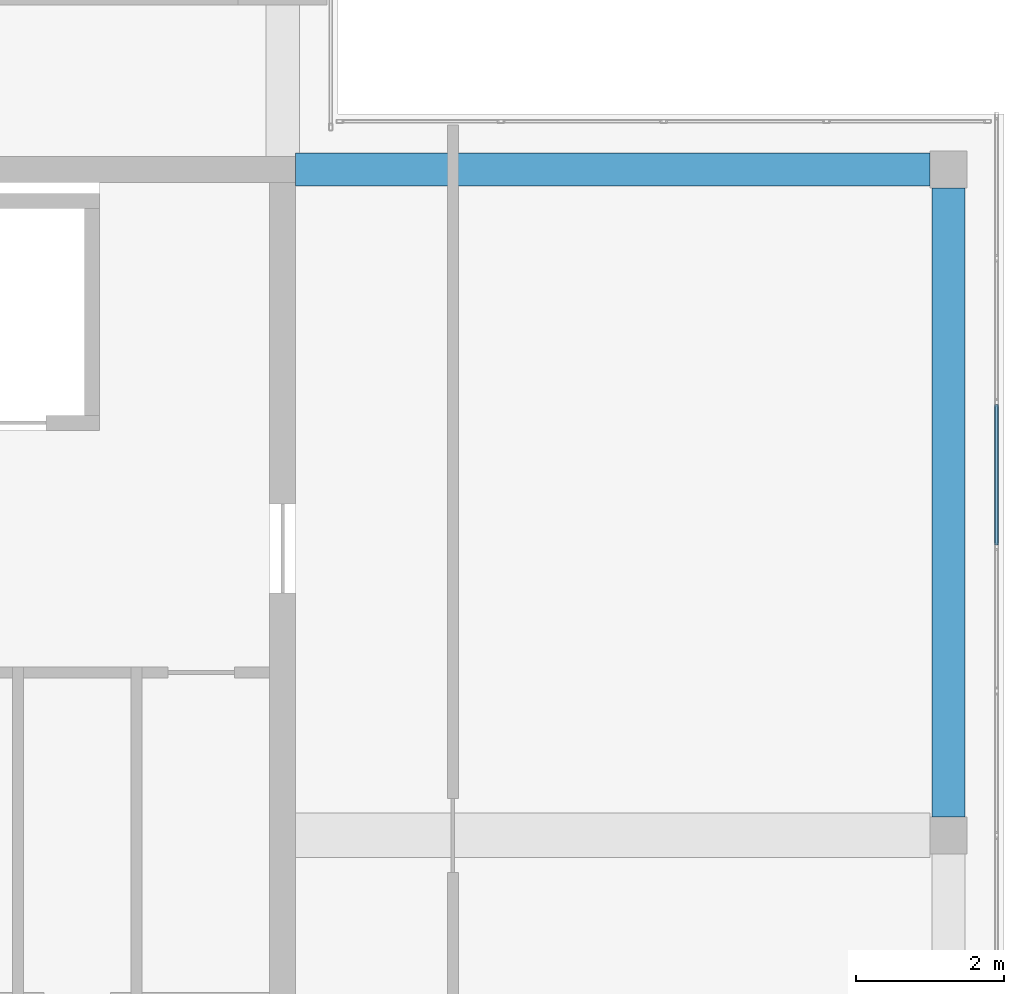
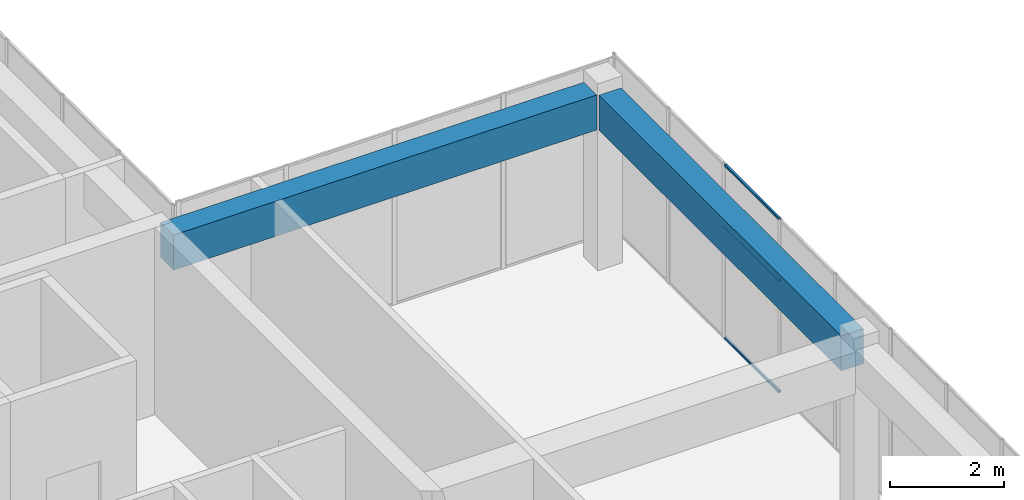
# One storey, part 18 of 34: 3 members, 2 beams, 1 element without a shape of its own.
"""IFC4 building model written with IfcOpenShell, lengths in metres."""

import ifcopenshell
import ifcopenshell.guid

model = None  # the IFC model being written
_history = None  # IfcOwnerHistory: only IFC2X3 demands one
_inside = {}  # id of a spatial element -> (the spatial element, [elements in it])
_under = {}  # id of a project, library or spatial element -> (it, [spatial elements below it])
_declared = {}  # id of a project -> (the project, [libraries it declares])
_typed = {}  # id of a type object -> (the type object, [elements of that type])
_made_of = {}  # id of a material, layer set ... -> (it, [elements and type objects made of it])


def new_model(schema):
    """Start an empty IFC model of exactly this schema.

    Asked for "IFC4X3", IfcOpenShell would pick the latest addendum, in which some entities
    have other attributes; the version numbers below select the first issue.
    IFC2X3 requires an IfcOwnerHistory on every rooted entity: one is made here for all.
    """
    global model, _history
    if schema == "IFC4X3":
        model = ifcopenshell.file(schema_version=(4, 3, 0, 0))
    else:
        model = ifcopenshell.file(schema=schema)
    _inside.clear()
    _under.clear()
    _declared.clear()
    _typed.clear()
    _made_of.clear()
    _history = None
    if model.schema == "IFC2X3":
        org = make("IfcOrganization", Name="unknown")
        user = make(
            "IfcPersonAndOrganization",
            ThePerson=make("IfcPerson", FamilyName="unknown"),
            TheOrganization=org,
        )
        app = make(
            "IfcApplication",
            ApplicationDeveloper=org,
            Version="unknown",
            ApplicationFullName="unknown",
            ApplicationIdentifier="unknown",
        )
        _history = make(
            "IfcOwnerHistory",
            OwningUser=user,
            OwningApplication=app,
            ChangeAction="ADDED",
            CreationDate=0,
        )
    return model


def make(cls, **values):
    """One entity of the class cls with the attributes given. An attribute that is None is left unset."""
    return model.create_entity(
        cls, **{name: value for name, value in values.items() if value is not None}
    )


def rooted(cls, **values):
    """An entity with a GlobalId (a new one), such as an element, a storey or a relation."""
    return make(cls, GlobalId=ifcopenshell.guid.new(), OwnerHistory=_history, **values)


def si_unit(unit_type, name, prefix=None):
    """IfcSIUnit, for example si_unit("LENGTHUNIT", "METRE", prefix="MILLI")."""
    return make("IfcSIUnit", UnitType=unit_type, Prefix=prefix, Name=name)


def assignment(units):
    """IfcUnitAssignment: the units of a project."""
    return None if units is None else make("IfcUnitAssignment", Units=units)


def point(xyz):
    """IfcCartesianPoint."""
    return None if xyz is None else make("IfcCartesianPoint", Coordinates=xyz)


def direction(xyz):
    """IfcDirection."""
    return None if xyz is None else make("IfcDirection", DirectionRatios=xyz)


def frame(location, z_axis=None, x_axis=None):
    """IfcAxis2Placement3D, a coordinate frame: its origin and axes. An axis left out is left unset."""
    return make(
        "IfcAxis2Placement3D",
        Location=point(location),
        Axis=direction(z_axis),
        RefDirection=direction(x_axis),
    )


def frame_2d(location, x_axis=None):
    """IfcAxis2Placement2D, a coordinate frame in the plane: its origin and x axis."""
    return make(
        "IfcAxis2Placement2D", Location=point(location), RefDirection=direction(x_axis)
    )


def origin():
    """The frame at (0, 0, 0) with its axes left unset."""
    return frame((0.0, 0.0, 0.0))


def origin_2d():
    """The frame at (0, 0) in the plane with its x axis left unset."""
    return frame_2d((0.0, 0.0))


def place(relative_to, where):
    """IfcLocalPlacement: puts the frame where relative to a parent placement (None: the world)."""
    return make(
        "IfcLocalPlacement", PlacementRelTo=relative_to, RelativePlacement=where
    )


def context(
    kind, dimensions, precision=None, world=None, true_north=None, identifier=None
):
    """IfcGeometricRepresentationContext, for example the 3D "Model" context."""
    return make(
        "IfcGeometricRepresentationContext",
        ContextIdentifier=identifier,
        ContextType=kind,
        CoordinateSpaceDimension=dimensions,
        Precision=precision,
        WorldCoordinateSystem=world,
        TrueNorth=true_north,
    )


def subcontext(parent, identifier, kind, view, scale=None):
    """IfcGeometricRepresentationSubContext, for example "Body" below "Model"."""
    return make(
        "IfcGeometricRepresentationSubContext",
        ContextIdentifier=identifier,
        ContextType=kind,
        ParentContext=parent,
        TargetScale=scale,
        TargetView=view,
    )


def project(units=None, contexts=None):
    """IfcProject with its units and contexts."""
    return rooted(
        "IfcProject",
        Name="project",
        RepresentationContexts=contexts,
        UnitsInContext=assignment(units),
    )


def spatial(cls, under=None, at=None, **own):
    """A site, building, storey or space (cls), placed at a placement, below another one or the project."""
    s = rooted(cls, ObjectPlacement=at, **own)
    if under is not None:
        _under.setdefault(under.id(), (under, []))[1].append(s)
    return s


def profile(cls, at=None, kind="AREA", **sizes):
    """A parametric profile (cls). Its sizes go by their IFC names, for example OverallWidth=200.0."""
    return make(cls, ProfileType=kind, Position=at, **sizes)


def rectangle(**sizes):
    """IfcRectangleProfileDef."""
    return profile("IfcRectangleProfileDef", **sizes)


def hollow_rectangle(**sizes):
    """IfcRectangleHollowProfileDef."""
    return profile("IfcRectangleHollowProfileDef", **sizes)


def extrude(swept, where, along, depth):
    """IfcExtrudedAreaSolid: the profile swept, set in the frame where, extruded along a direction by depth."""
    return make(
        "IfcExtrudedAreaSolid",
        SweptArea=swept,
        Position=where,
        ExtrudedDirection=direction(along),
        Depth=depth,
    )


def shape(context_of_items, identifier, shape_type, items):
    """IfcShapeRepresentation: the items that make up one representation, for example the "Body"."""
    return make(
        "IfcShapeRepresentation",
        ContextOfItems=context_of_items,
        RepresentationIdentifier=identifier,
        RepresentationType=shape_type,
        Items=items,
    )


def material(Name=None, Category=None):
    """IfcMaterial."""
    return make("IfcMaterial", Name=Name, Category=Category)


def layer(
    of_material, thickness, ventilated=None, Name=None, Category=None, Priority=None
):
    """IfcMaterialLayer: one layer of a wall or slab, of a material (None: an air gap)."""
    return make(
        "IfcMaterialLayer",
        Material=of_material,
        LayerThickness=thickness,
        IsVentilated=ventilated,
        Name=Name,
        Category=Category,
        Priority=Priority,
    )


def layer_set(layers, Name=None):
    """IfcMaterialLayerSet."""
    return make("IfcMaterialLayerSet", MaterialLayers=layers, LayerSetName=Name)


def material_profile(
    of_material, cross_section, Name=None, Category=None, Priority=None
):
    """IfcMaterialProfile: a cross section and its material."""
    return make(
        "IfcMaterialProfile",
        Name=Name,
        Material=of_material,
        Profile=cross_section,
        Priority=Priority,
        Category=Category,
    )


def profile_set(profiles, Name=None, composite=None):
    """IfcMaterialProfileSet."""
    return make(
        "IfcMaterialProfileSet",
        Name=Name,
        MaterialProfiles=profiles,
        CompositeProfile=composite,
    )


def made_of(thing, what):
    """Note that an element or type object is made of a material, layer set ...; save() writes the relation."""
    if what is not None:
        _made_of.setdefault(what.id(), (what, []))[1].append(thing)
    return thing


def type_object(cls, material=None, **own):
    """A type object (cls), such as IfcWallType, which elements share."""
    return made_of(rooted(cls, **own), material)


def element(
    cls,
    number,
    at=None,
    inside=None,
    cuts=None,
    type_object=None,
    material=None,
    context=None,
    identifier="Body",
    shape_type=None,
    held_by="IfcProductDefinitionShape",
    body=None,
    shapes=None,
    **own,
):
    """One element of the class cls, such as IfcWall. Its Tag is "e" and its number.

    at: its placement. inside: the storey or other place that contains it. cuts: it is an
    opening in that element (IfcRelVoidsElement). A single representation is given by context,
    identifier, shape_type and body (its items); several are given by shapes. held_by: the class
    of the entity that holds the representations. save() writes the other relations.
    """
    e = rooted(cls, Tag="e%d" % number, ObjectPlacement=at, **own)
    if body is not None:
        shapes = [shape(context, identifier, shape_type, body)]
    if shapes is not None:
        e.Representation = make(held_by, Representations=shapes)
    if inside is not None:
        _inside.setdefault(inside.id(), (inside, []))[1].append(e)
    if cuts is not None:
        rooted(
            "IfcRelVoidsElement", RelatingBuildingElement=cuts, RelatedOpeningElement=e
        )
    if type_object is not None:
        _typed.setdefault(type_object.id(), (type_object, []))[1].append(e)
    return made_of(e, material)


def aggregate(whole, parts):
    """IfcRelAggregates: a whole, such as a stair, and the parts it consists of."""
    return rooted("IfcRelAggregates", RelatingObject=whole, RelatedObjects=parts)


def save(model, path):
    """Write the relations noted so far, then the file.

    IfcRelAggregates (storeys below a building ...), IfcRelContainedInSpatialStructure (elements
    in a storey), IfcRelDefinesByType, IfcRelAssociatesMaterial and IfcRelDeclares: one each for
    every whole, place, type object, material and project.
    """
    for whole, parts in _under.values():
        aggregate(whole, parts)
    for where, things in _inside.values():
        rooted(
            "IfcRelContainedInSpatialStructure",
            RelatedElements=things,
            RelatingStructure=where,
        )
    for kind, things in _typed.values():
        rooted("IfcRelDefinesByType", RelatedObjects=things, RelatingType=kind)
    for what, things in _made_of.values():
        rooted("IfcRelAssociatesMaterial", RelatedObjects=things, RelatingMaterial=what)
    for by, libraries in _declared.values():
        rooted("IfcRelDeclares", RelatingContext=by, RelatedDefinitions=libraries)
    model.write(path)


model = new_model("IFC4")

# Units and contexts
model_context = context("Model", 3, precision=1e-05, world=origin(), true_north=direction((0.0, 1.0)))
body_context = subcontext(model_context, "Body", "Model", "MODEL_VIEW")
ifc_project = project(units=[si_unit("LENGTHUNIT", "METRE"), si_unit("AREAUNIT", "SQUARE_METRE"), si_unit("VOLUMEUNIT", "CUBIC_METRE"), si_unit("PLANEANGLEUNIT", "RADIAN"), si_unit("MASSUNIT", "GRAM", prefix="KILO")], contexts=[model_context])

# Site, building, storey
site_placement = place(None, origin())
site = spatial("IfcSite", under=ifc_project, at=site_placement, CompositionType="ELEMENT")
building_placement = place(site_placement, origin())
building = spatial("IfcBuilding", under=site, at=building_placement, Name="Tuart Plaza Theatre", CompositionType="ELEMENT")
storey_placement = place(building_placement, frame((0.0, 0.0, 57.5)))
storey = spatial("IfcBuildingStorey", under=building, at=storey_placement, Name="L14", CompositionType="ELEMENT", Elevation=57.5)

# Beams
ifc_material_1 = material(Name="Concrete N40 (40 MPa)", Category="concrete")
ifc_material_profile_1 = material_profile(ifc_material_1, rectangle(XDim=0.449951171875, YDim=0.75, at=origin_2d()), Name="BEAM 450x750 Concrete N40 (40 MPa)")
ifc_profile_set_1 = profile_set([ifc_material_profile_1], Name="Concrete N40 (40 MPa)")
beam_type = type_object("IfcBeamType", Name="BEAM 450x750 Concrete N40 (40 MPa)", PredefinedType="BEAM", material=ifc_profile_set_1)
beam_1_placement = place(storey_placement, frame((141.175048828125, 83.0, 3.375), z_axis=(1.0, 0.0, 0.0), x_axis=(0.0, 1.0, 0.0)))
element("IfcBeam", 1, at=beam_1_placement, inside=storey, type_object=beam_type, Name="RB344", PredefinedType="BEAM", context=body_context, shape_type="SweptSolid", body=[
    extrude(rectangle(XDim=0.449951171875, YDim=0.75, at=origin_2d()), origin(), (0.0, 0.0, 1.0), 8.574951171875),
])
beam_2_placement = place(storey_placement, frame((150.0, 74.25, 3.375), z_axis=(0.0, 1.0, 0.0), x_axis=(-1.0, 0.0, 0.0)))
element("IfcBeam", 2, at=beam_2_placement, inside=storey, type_object=beam_type, Name="RB346", PredefinedType="BEAM", context=body_context, shape_type="SweptSolid", body=[
    extrude(rectangle(XDim=0.449951171875, YDim=0.75, at=origin_2d()), origin(), (0.0, 0.0, 1.0), 8.5),
])

# Curtain wall, members
ifc_material_2 = material(Name="Aluminium and glass", Category="aluminium")
ifc_layer = layer(ifc_material_2, 0.10009765625)
ifc_layer_set = layer_set([ifc_layer], Name="CURTAIN WALL 2000 module")
curtain_wall_type = type_object("IfcCurtainWallType", Name="CURTAIN WALL 2000 module", PredefinedType="NOTDEFINED", material=ifc_layer_set)
curtain_wall_placement = place(storey_placement, origin())
curtain_wall = element("IfcCurtainWall", 3, at=curtain_wall_placement, inside=storey, type_object=curtain_wall_type, Name="CW114", PredefinedType="NOTDEFINED")
ifc_material_3 = material(Name="Aluminium 6063-T5", Category="aluminium")
ifc_material_profile_2 = material_profile(ifc_material_3, hollow_rectangle(XDim=0.050048828125, YDim=0.050048828125, WallThickness=0.00390625, InnerFilletRadius=0.00390625, OuterFilletRadius=0.008056640625, at=origin_2d()), Name="RHS 50x50x4")
ifc_profile_set_2 = profile_set([ifc_material_profile_2], Name="Aluminium 6063-T5")
member_type = type_object("IfcMemberType", Name="TRANSOM RHS 50x50x4", PredefinedType="USERDEFINED", material=ifc_profile_set_2)
member_1_placement = place(storey_placement, frame((150.64990234375, 77.925048828125, 0.02490234375), z_axis=(0.0, 1.0, 0.0), x_axis=(-1.0, 0.0, 0.0)))
member_1 = element("IfcMember", 4, at=member_1_placement, type_object=member_type, Name="CW114 transom 8.1", ObjectType="TRANSOM", PredefinedType="USERDEFINED", context=body_context, shape_type="SweptSolid", body=[
    extrude(hollow_rectangle(XDim=0.050048828125, YDim=0.050048828125, WallThickness=0.00390625, InnerFilletRadius=0.00390625, OuterFilletRadius=0.008056640625, at=origin_2d()), origin(), (0.0, 0.0, 1.0), 1.89990234375),
])
member_2_placement = place(storey_placement, frame((150.64990234375, 77.925048828125, 2.39990234375), z_axis=(0.0, 1.0, 0.0), x_axis=(-1.0, 0.0, 0.0)))
member_2 = element("IfcMember", 5, at=member_2_placement, type_object=member_type, Name="CW114 transom 8.2", ObjectType="TRANSOM", PredefinedType="USERDEFINED", context=body_context, shape_type="SweptSolid", body=[
    extrude(hollow_rectangle(XDim=0.050048828125, YDim=0.050048828125, WallThickness=0.00390625, InnerFilletRadius=0.00390625, OuterFilletRadius=0.008056640625, at=origin_2d()), origin(), (0.0, 0.0, 1.0), 1.89990234375),
])
member_3_placement = place(storey_placement, frame((150.64990234375, 77.925048828125, 3.72509765625), z_axis=(0.0, 1.0, 0.0), x_axis=(-1.0, 0.0, 0.0)))
member_3 = element("IfcMember", 6, at=member_3_placement, type_object=member_type, Name="CW114 transom 8.3", ObjectType="TRANSOM", PredefinedType="USERDEFINED", context=body_context, shape_type="SweptSolid", body=[
    extrude(hollow_rectangle(XDim=0.050048828125, YDim=0.050048828125, WallThickness=0.00390625, InnerFilletRadius=0.00390625, OuterFilletRadius=0.008056640625, at=origin_2d()), origin(), (0.0, 0.0, 1.0), 1.89990234375),
])
aggregate(curtain_wall, [member_1, member_2, member_3])

save(model, "model.ifc")
